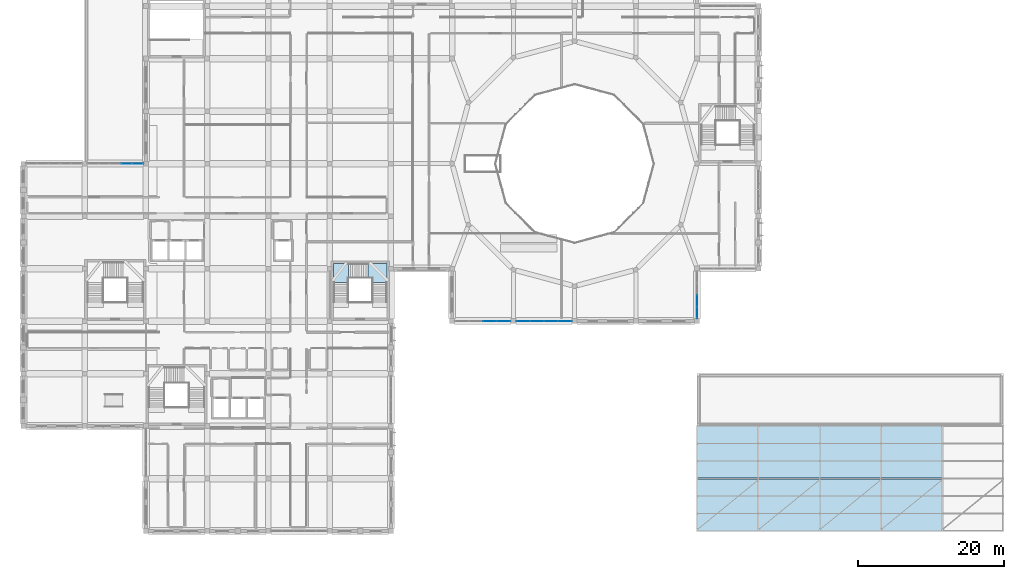
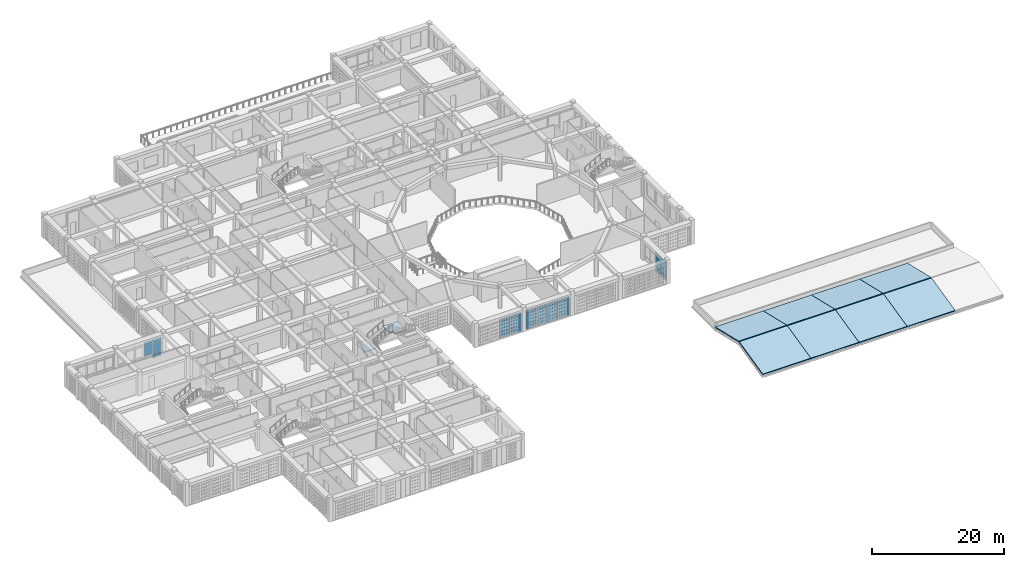
# One storey, part 32 of 79: 29 plates, 10 slabs, 5 elements without a shape of their own.
"""IFC4 building model written with IfcOpenShell, lengths in metres."""

from ifc_helpers import new_model, si_unit, derived_unit, direction, frame, origin, origin_2d, place, context, subcontext, project, spatial, polyline, rectangle, outline, extrude, material, layer, layer_set, type_object, element, aggregate, save


model = new_model("IFC4")

# Units and contexts
model_context = context("Model", 3, precision=1e-05, world=origin(), true_north=direction((0.0, 1.0)))
body_context = subcontext(model_context, "Body", "Model", "MODEL_VIEW")
ifc_project = project(units=[si_unit("LENGTHUNIT", "METRE"), si_unit("AREAUNIT", "SQUARE_METRE"), si_unit("VOLUMEUNIT", "CUBIC_METRE"), si_unit("PLANEANGLEUNIT", "RADIAN"), si_unit("MASSUNIT", "GRAM", prefix="KILO"), derived_unit("THERMALTRANSMITTANCEUNIT", [(si_unit("POWERUNIT", "WATT"), 1), (si_unit("LENGTHUNIT", "METRE"), -2), (si_unit("THERMODYNAMICTEMPERATUREUNIT", "KELVIN"), -1)])], contexts=[model_context])

# Site, building, storey
site_placement = place(None, origin())
site = spatial("IfcSite", under=ifc_project, at=site_placement, CompositionType="ELEMENT")
building_placement = place(site_placement, origin())
building = spatial("IfcBuilding", under=site, at=building_placement, Name="Veybourne Emporium", CompositionType="ELEMENT")
storey_placement = place(building_placement, frame((0.0, 0.0, 18.89990234375)))
storey = spatial("IfcBuildingStorey", under=building, at=storey_placement, Name="L04", CompositionType="ELEMENT", Elevation=18.89990234375)

# Curtain wall, plates
ifc_material_1 = material(Name="Patinated Architectural Bronze", Category="bronze")
curtain_wall_type_1 = type_object("IfcCurtainWallType", Name="CWSystem_CWS-25", PredefinedType="NOTDEFINED", material=ifc_material_1)
curtain_wall_1_placement = place(storey_placement, origin())
curtain_wall_1 = element("IfcCurtainWall", 1, at=curtain_wall_1_placement, inside=storey, type_object=curtain_wall_type_1, Name="L04 bronze glazed curtain wall CWS-25 (009)", PredefinedType="NOTDEFINED")
ifc_material_2 = material(Name="Low-E Triple Glazing", Category="glass")
ifc_layer_1 = layer(ifc_material_2, 0.028076171875)
ifc_layer_set_1 = layer_set([ifc_layer_1], Name="Low-E Triple Glazing")
plate_type = type_object("IfcPlateType", Name="CWPanel_CW-P1", PredefinedType="CURTAIN_PANEL", material=ifc_layer_set_1)
plate_1_placement = place(storey_placement, frame((14.14990234375, 50.39990234375, 0.93603515625), z_axis=(0.0, 0.0, 1.0), x_axis=(1.0, 0.0, 0.0)))
plate_1 = element("IfcPlate", 2, at=plate_1_placement, type_object=plate_type, Name="CWS-25 panel 4.2", PredefinedType="CURTAIN_PANEL", context=body_context, shape_type="SweptSolid", body=[
    extrude(rectangle(XDim=1.47802734375, YDim=0.028076171875, at=origin_2d()), origin(), (0.0, 0.0, 1.0), 1.907958984375),
])
plate_2_placement = place(storey_placement, frame((14.14990234375, 50.39990234375, 2.916015625), z_axis=(0.0, 0.0, 1.0), x_axis=(1.0, 0.0, 0.0)))
plate_2 = element("IfcPlate", 3, at=plate_2_placement, type_object=plate_type, Name="CWS-25 panel 4.3", PredefinedType="CURTAIN_PANEL", context=body_context, shape_type="SweptSolid", body=[
    extrude(rectangle(XDim=1.47802734375, YDim=0.028076171875, at=origin_2d()), origin(), (0.0, 0.0, 1.0), 0.64208984375),
])
plate_3_placement = place(storey_placement, frame((15.681884765625, 50.39990234375, 0.072021484375), z_axis=(0.0, 0.0, 1.0), x_axis=(1.0, 0.0, 0.0)))
plate_3 = element("IfcPlate", 4, at=plate_3_placement, type_object=plate_type, Name="CWS-25 panel 5.1", PredefinedType="CURTAIN_PANEL", context=body_context, shape_type="SweptSolid", body=[
    extrude(rectangle(XDim=1.44189453125, YDim=0.028076171875, at=origin_2d()), origin(), (0.0, 0.0, 1.0), 0.7919921875),
])
plate_4_placement = place(storey_placement, frame((15.681884765625, 50.39990234375, 0.93603515625), z_axis=(0.0, 0.0, 1.0), x_axis=(1.0, 0.0, 0.0)))
plate_4 = element("IfcPlate", 5, at=plate_4_placement, type_object=plate_type, Name="CWS-25 panel 5.2", PredefinedType="CURTAIN_PANEL", context=body_context, shape_type="SweptSolid", body=[
    extrude(rectangle(XDim=1.44189453125, YDim=0.028076171875, at=origin_2d()), origin(), (0.0, 0.0, 1.0), 1.907958984375),
])
plate_5_placement = place(storey_placement, frame((15.681884765625, 50.39990234375, 2.916015625), z_axis=(0.0, 0.0, 1.0), x_axis=(1.0, 0.0, 0.0)))
plate_5 = element("IfcPlate", 6, at=plate_5_placement, type_object=plate_type, Name="CWS-25 panel 5.3", PredefinedType="CURTAIN_PANEL", context=body_context, shape_type="SweptSolid", body=[
    extrude(rectangle(XDim=1.44189453125, YDim=0.028076171875, at=origin_2d()), origin(), (0.0, 0.0, 1.0), 0.64208984375),
])
aggregate(curtain_wall_1, [plate_1, plate_2, plate_3, plate_4, plate_5])

curtain_wall_type_2 = type_object("IfcCurtainWallType", Name="CWSystem_CWS-02", PredefinedType="NOTDEFINED", material=ifc_material_1)
curtain_wall_2_placement = place(storey_placement, origin())
curtain_wall_2 = element("IfcCurtainWall", 7, at=curtain_wall_2_placement, inside=storey, type_object=curtain_wall_type_2, Name="L04 bronze glazed curtain wall CWS-02 (033)", PredefinedType="NOTDEFINED")
plate_6_placement = place(storey_placement, frame((65.86865234375, 28.800048828125, 0.074951171875), z_axis=(0.0, 0.0, 1.0), x_axis=(-1.0, 0.0, 0.0)))
plate_6 = element("IfcPlate", 8, at=plate_6_placement, type_object=plate_type, Name="CWS-02 panel 1.1", PredefinedType="CURTAIN_PANEL", context=body_context, shape_type="SweptSolid", body=[
    extrude(rectangle(XDim=1.8125, YDim=0.028076171875, at=origin_2d()), origin(), (0.0, 0.0, 1.0), 0.78759765625),
])
plate_7_placement = place(storey_placement, frame((65.86865234375, 28.800048828125, 0.9375), z_axis=(0.0, 0.0, 1.0), x_axis=(-1.0, 0.0, 0.0)))
plate_7 = element("IfcPlate", 9, at=plate_7_placement, type_object=plate_type, Name="CWS-02 panel 1.2", PredefinedType="CURTAIN_PANEL", context=body_context, shape_type="SweptSolid", body=[
    extrude(rectangle(XDim=1.8125, YDim=0.028076171875, at=origin_2d()), origin(), (0.0, 0.0, 1.0), 1.905029296875),
])
plate_8_placement = place(storey_placement, frame((65.86865234375, 28.800048828125, 2.91748046875), z_axis=(0.0, 0.0, 1.0), x_axis=(-1.0, 0.0, 0.0)))
plate_8 = element("IfcPlate", 10, at=plate_8_placement, type_object=plate_type, Name="CWS-02 panel 1.3", PredefinedType="CURTAIN_PANEL", context=body_context, shape_type="SweptSolid", body=[
    extrude(rectangle(XDim=1.8125, YDim=0.028076171875, at=origin_2d()), origin(), (0.0, 0.0, 1.0), 0.637451171875),
])
plate_9_placement = place(storey_placement, frame((63.96240234375, 28.800048828125, 0.074951171875), z_axis=(0.0, 0.0, 1.0), x_axis=(-1.0, 0.0, 0.0)))
plate_9 = element("IfcPlate", 11, at=plate_9_placement, type_object=plate_type, Name="CWS-02 panel 2.1", PredefinedType="CURTAIN_PANEL", context=body_context, shape_type="SweptSolid", body=[
    extrude(rectangle(XDim=1.85009765625, YDim=0.028076171875, at=origin_2d()), origin(), (0.0, 0.0, 1.0), 0.78759765625),
])
plate_10_placement = place(storey_placement, frame((63.96240234375, 28.800048828125, 0.9375), z_axis=(0.0, 0.0, 1.0), x_axis=(-1.0, 0.0, 0.0)))
plate_10 = element("IfcPlate", 12, at=plate_10_placement, type_object=plate_type, Name="CWS-02 panel 2.2", PredefinedType="CURTAIN_PANEL", context=body_context, shape_type="SweptSolid", body=[
    extrude(rectangle(XDim=1.85009765625, YDim=0.028076171875, at=origin_2d()), origin(), (0.0, 0.0, 1.0), 1.905029296875),
])
plate_11_placement = place(storey_placement, frame((63.96240234375, 28.800048828125, 2.91748046875), z_axis=(0.0, 0.0, 1.0), x_axis=(-1.0, 0.0, 0.0)))
plate_11 = element("IfcPlate", 13, at=plate_11_placement, type_object=plate_type, Name="CWS-02 panel 2.3", PredefinedType="CURTAIN_PANEL", context=body_context, shape_type="SweptSolid", body=[
    extrude(rectangle(XDim=1.85009765625, YDim=0.028076171875, at=origin_2d()), origin(), (0.0, 0.0, 1.0), 0.637451171875),
])
aggregate(curtain_wall_2, [plate_6, plate_7, plate_8, plate_9, plate_10, plate_11])

curtain_wall_type_3 = type_object("IfcCurtainWallType", Name="CWSystem_CWS-03", PredefinedType="NOTDEFINED", material=ifc_material_1)
curtain_wall_3_placement = place(storey_placement, origin())
curtain_wall_3 = element("IfcCurtainWall", 14, at=curtain_wall_3_placement, inside=storey, type_object=curtain_wall_type_3, Name="L04 bronze glazed curtain wall CWS-03 (036)", PredefinedType="NOTDEFINED")
plate_12_placement = place(storey_placement, frame((74.26806640625, 28.800048828125, 0.078125), z_axis=(0.0, 0.0, 1.0), x_axis=(-1.0, 0.0, 0.0)))
plate_12 = element("IfcPlate", 15, at=plate_12_placement, type_object=plate_type, Name="CWS-03 panel 1.1", PredefinedType="CURTAIN_PANEL", context=body_context, shape_type="SweptSolid", body=[
    extrude(rectangle(XDim=1.80810546875, YDim=0.028076171875, at=origin_2d()), origin(), (0.0, 0.0, 1.0), 0.782958984375),
])
plate_13_placement = place(storey_placement, frame((74.26806640625, 28.800048828125, 0.93896484375), z_axis=(0.0, 0.0, 1.0), x_axis=(-1.0, 0.0, 0.0)))
plate_13 = element("IfcPlate", 16, at=plate_13_placement, type_object=plate_type, Name="CWS-03 panel 1.2", PredefinedType="CURTAIN_PANEL", context=body_context, shape_type="SweptSolid", body=[
    extrude(rectangle(XDim=1.80810546875, YDim=0.028076171875, at=origin_2d()), origin(), (0.0, 0.0, 1.0), 1.902099609375),
])
plate_14_placement = place(storey_placement, frame((74.26806640625, 28.800048828125, 2.9189453125), z_axis=(0.0, 0.0, 1.0), x_axis=(-1.0, 0.0, 0.0)))
plate_14 = element("IfcPlate", 17, at=plate_14_placement, type_object=plate_type, Name="CWS-03 panel 1.3", PredefinedType="CURTAIN_PANEL", context=body_context, shape_type="SweptSolid", body=[
    extrude(rectangle(XDim=1.80810546875, YDim=0.028076171875, at=origin_2d()), origin(), (0.0, 0.0, 1.0), 0.633056640625),
])
plate_15_placement = place(storey_placement, frame((72.362548828125, 28.800048828125, 0.078125), z_axis=(0.0, 0.0, 1.0), x_axis=(-1.0, 0.0, 0.0)))
plate_15 = element("IfcPlate", 18, at=plate_15_placement, type_object=plate_type, Name="CWS-03 panel 2.1", PredefinedType="CURTAIN_PANEL", context=body_context, shape_type="SweptSolid", body=[
    extrude(rectangle(XDim=1.846923828125, YDim=0.028076171875, at=origin_2d()), origin(), (0.0, 0.0, 1.0), 0.782958984375),
])
plate_16_placement = place(storey_placement, frame((72.362548828125, 28.800048828125, 0.93896484375), z_axis=(0.0, 0.0, 1.0), x_axis=(-1.0, 0.0, 0.0)))
plate_16 = element("IfcPlate", 19, at=plate_16_placement, type_object=plate_type, Name="CWS-03 panel 2.2", PredefinedType="CURTAIN_PANEL", context=body_context, shape_type="SweptSolid", body=[
    extrude(rectangle(XDim=1.846923828125, YDim=0.028076171875, at=origin_2d()), origin(), (0.0, 0.0, 1.0), 1.902099609375),
])
plate_17_placement = place(storey_placement, frame((72.362548828125, 28.800048828125, 2.9189453125), z_axis=(0.0, 0.0, 1.0), x_axis=(-1.0, 0.0, 0.0)))
plate_17 = element("IfcPlate", 20, at=plate_17_placement, type_object=plate_type, Name="CWS-03 panel 2.3", PredefinedType="CURTAIN_PANEL", context=body_context, shape_type="SweptSolid", body=[
    extrude(rectangle(XDim=1.846923828125, YDim=0.028076171875, at=origin_2d()), origin(), (0.0, 0.0, 1.0), 0.633056640625),
])
plate_18_placement = place(storey_placement, frame((70.4375, 28.800048828125, 0.078125), z_axis=(0.0, 0.0, 1.0), x_axis=(-1.0, 0.0, 0.0)))
plate_18 = element("IfcPlate", 21, at=plate_18_placement, type_object=plate_type, Name="CWS-03 panel 3.1", PredefinedType="CURTAIN_PANEL", context=body_context, shape_type="SweptSolid", body=[
    extrude(rectangle(XDim=1.846923828125, YDim=0.028076171875, at=origin_2d()), origin(), (0.0, 0.0, 1.0), 0.782958984375),
])
plate_19_placement = place(storey_placement, frame((70.4375, 28.800048828125, 0.93896484375), z_axis=(0.0, 0.0, 1.0), x_axis=(-1.0, 0.0, 0.0)))
plate_19 = element("IfcPlate", 22, at=plate_19_placement, type_object=plate_type, Name="CWS-03 panel 3.2", PredefinedType="CURTAIN_PANEL", context=body_context, shape_type="SweptSolid", body=[
    extrude(rectangle(XDim=1.846923828125, YDim=0.028076171875, at=origin_2d()), origin(), (0.0, 0.0, 1.0), 1.902099609375),
])
plate_20_placement = place(storey_placement, frame((70.4375, 28.800048828125, 2.9189453125), z_axis=(0.0, 0.0, 1.0), x_axis=(-1.0, 0.0, 0.0)))
plate_20 = element("IfcPlate", 23, at=plate_20_placement, type_object=plate_type, Name="CWS-03 panel 3.3", PredefinedType="CURTAIN_PANEL", context=body_context, shape_type="SweptSolid", body=[
    extrude(rectangle(XDim=1.846923828125, YDim=0.028076171875, at=origin_2d()), origin(), (0.0, 0.0, 1.0), 0.633056640625),
])
plate_21_placement = place(storey_placement, frame((68.531982421875, 28.800048828125, 0.078125), z_axis=(0.0, 0.0, 1.0), x_axis=(-1.0, 0.0, 0.0)))
plate_21 = element("IfcPlate", 24, at=plate_21_placement, type_object=plate_type, Name="CWS-03 panel 4.1", PredefinedType="CURTAIN_PANEL", context=body_context, shape_type="SweptSolid", body=[
    extrude(rectangle(XDim=1.80810546875, YDim=0.028076171875, at=origin_2d()), origin(), (0.0, 0.0, 1.0), 0.782958984375),
])
plate_22_placement = place(storey_placement, frame((68.531982421875, 28.800048828125, 0.93896484375), z_axis=(0.0, 0.0, 1.0), x_axis=(-1.0, 0.0, 0.0)))
plate_22 = element("IfcPlate", 25, at=plate_22_placement, type_object=plate_type, Name="CWS-03 panel 4.2", PredefinedType="CURTAIN_PANEL", context=body_context, shape_type="SweptSolid", body=[
    extrude(rectangle(XDim=1.80810546875, YDim=0.028076171875, at=origin_2d()), origin(), (0.0, 0.0, 1.0), 1.902099609375),
])
plate_23_placement = place(storey_placement, frame((68.531982421875, 28.800048828125, 2.9189453125), z_axis=(0.0, 0.0, 1.0), x_axis=(-1.0, 0.0, 0.0)))
plate_23 = element("IfcPlate", 26, at=plate_23_placement, type_object=plate_type, Name="CWS-03 panel 4.3", PredefinedType="CURTAIN_PANEL", context=body_context, shape_type="SweptSolid", body=[
    extrude(rectangle(XDim=1.80810546875, YDim=0.028076171875, at=origin_2d()), origin(), (0.0, 0.0, 1.0), 0.633056640625),
])
aggregate(curtain_wall_3, [plate_12, plate_13, plate_14, plate_15, plate_16, plate_17, plate_18, plate_19, plate_20, plate_21, plate_22, plate_23])

curtain_wall_type_4 = type_object("IfcCurtainWallType", Name="CWSystem_CWS-05", PredefinedType="NOTDEFINED", material=ifc_material_1)
curtain_wall_4_placement = place(storey_placement, origin())
curtain_wall_4 = element("IfcCurtainWall", 27, at=curtain_wall_4_placement, inside=storey, type_object=curtain_wall_type_4, Name="L04 bronze glazed curtain wall CWS-05 (042)", PredefinedType="NOTDEFINED")
plate_24_placement = place(storey_placement, frame((92.39990234375, 31.58740234375, 0.072021484375), z_axis=(0.0, 0.0, 1.0), x_axis=(0.0, -1.0, 0.0)))
plate_24 = element("IfcPlate", 28, at=plate_24_placement, type_object=plate_type, Name="CWS-05 panel 3.1", PredefinedType="CURTAIN_PANEL", context=body_context, shape_type="SweptSolid", body=[
    extrude(rectangle(XDim=1.552978515625, YDim=0.028076171875, at=origin_2d()), origin(), (0.0, 0.0, 1.0), 0.7919921875),
])
plate_25_placement = place(storey_placement, frame((92.39990234375, 31.58740234375, 0.93603515625), z_axis=(0.0, 0.0, 1.0), x_axis=(0.0, -1.0, 0.0)))
plate_25 = element("IfcPlate", 29, at=plate_25_placement, type_object=plate_type, Name="CWS-05 panel 3.2", PredefinedType="CURTAIN_PANEL", context=body_context, shape_type="SweptSolid", body=[
    extrude(rectangle(XDim=1.552978515625, YDim=0.028076171875, at=origin_2d()), origin(), (0.0, 0.0, 1.0), 1.907958984375),
])
plate_26_placement = place(storey_placement, frame((92.39990234375, 31.58740234375, 2.916015625), z_axis=(0.0, 0.0, 1.0), x_axis=(0.0, -1.0, 0.0)))
plate_26 = element("IfcPlate", 30, at=plate_26_placement, type_object=plate_type, Name="CWS-05 panel 3.3", PredefinedType="CURTAIN_PANEL", context=body_context, shape_type="SweptSolid", body=[
    extrude(rectangle(XDim=1.552978515625, YDim=0.028076171875, at=origin_2d()), origin(), (0.0, 0.0, 1.0), 0.64208984375),
])
plate_27_placement = place(storey_placement, frame((92.39990234375, 29.98046875, 0.072021484375), z_axis=(0.0, 0.0, 1.0), x_axis=(0.0, -1.0, 0.0)))
plate_27 = element("IfcPlate", 31, at=plate_27_placement, type_object=plate_type, Name="CWS-05 panel 4.1", PredefinedType="CURTAIN_PANEL", context=body_context, shape_type="SweptSolid", body=[
    extrude(rectangle(XDim=1.51708984375, YDim=0.028076171875, at=origin_2d()), origin(), (0.0, 0.0, 1.0), 0.7919921875),
])
plate_28_placement = place(storey_placement, frame((92.39990234375, 29.98046875, 0.93603515625), z_axis=(0.0, 0.0, 1.0), x_axis=(0.0, -1.0, 0.0)))
plate_28 = element("IfcPlate", 32, at=plate_28_placement, type_object=plate_type, Name="CWS-05 panel 4.2", PredefinedType="CURTAIN_PANEL", context=body_context, shape_type="SweptSolid", body=[
    extrude(rectangle(XDim=1.51708984375, YDim=0.028076171875, at=origin_2d()), origin(), (0.0, 0.0, 1.0), 1.907958984375),
])
plate_29_placement = place(storey_placement, frame((92.39990234375, 29.98046875, 2.916015625), z_axis=(0.0, 0.0, 1.0), x_axis=(0.0, -1.0, 0.0)))
plate_29 = element("IfcPlate", 33, at=plate_29_placement, type_object=plate_type, Name="CWS-05 panel 4.3", PredefinedType="CURTAIN_PANEL", context=body_context, shape_type="SweptSolid", body=[
    extrude(rectangle(XDim=1.51708984375, YDim=0.028076171875, at=origin_2d()), origin(), (0.0, 0.0, 1.0), 0.64208984375),
])
aggregate(curtain_wall_4, [plate_24, plate_25, plate_26, plate_27, plate_28, plate_29])

# Stair, slabs
ifc_material_3 = material(Name="Concrete C32/40", Category="concrete")
stair_type = type_object("IfcStairType", Name="Stair_ST-05-R30", PredefinedType="TWO_QUARTER_TURN_STAIR", material=ifc_material_3)
stair_placement = place(storey_placement, origin())
stair = element("IfcStair", 34, at=stair_placement, inside=storey, type_object=stair_type, Name="L04 stair ST-05", PredefinedType="TWO_QUARTER_TURN_STAIR")
ifc_layer_2 = layer(ifc_material_3, 0.199951171875)
ifc_layer_set_2 = layer_set([ifc_layer_2], Name="Concrete C32/40")
slab_type_1 = type_object("IfcSlabType", Name="Landing_LDG-01", PredefinedType="LANDING", material=ifc_layer_set_2)
slab_1_placement = place(storey_placement, frame((0.0, 0.0, 1.300048828125)))
slab_1 = element("IfcSlab", 35, at=slab_1_placement, type_object=slab_type_1, Name="ST-05-R30 landing 1", PredefinedType="LANDING", context=body_context, shape_type="SweptSolid", body=[
    extrude(outline(polyline([(42.550048828125, 34.10009765625), (44.550048828125, 34.10009765625), (44.550048828125, 36.699951171875), (42.550048828125, 36.699951171875), (42.550048828125, 34.10009765625)])), origin(), (0.0, 0.0, 1.0), 0.199951171875),
])
slab_2_placement = place(storey_placement, frame((0.0, 0.0, 2.800048828125)))
slab_2 = element("IfcSlab", 36, at=slab_2_placement, type_object=slab_type_1, Name="ST-05-R30 landing 2", PredefinedType="LANDING", context=body_context, shape_type="SweptSolid", body=[
    extrude(outline(polyline([(47.25, 34.699951171875), (47.85009765625, 34.699951171875), (47.85009765625, 34.10009765625), (49.85009765625, 34.10009765625), (49.85009765625, 36.699951171875), (47.25, 36.699951171875), (47.25, 34.699951171875)])), origin(), (0.0, 0.0, 1.0), 0.199951171875),
])
aggregate(stair, [slab_1, slab_2])

# Slabs
ifc_layer_3 = layer(ifc_material_3, 0.219970703125)
ifc_layer_set_3 = layer_set([ifc_layer_3], Name="Concrete C32/40")
slab_type_2 = type_object("IfcSlabType", Name="Slab_RS-02", PredefinedType="ROOF", material=ifc_layer_set_3)
slab_3_placement = place(storey_placement, frame((92.39990234375, 0.0, 0.5751953125), z_axis=(0.0, -0.229636385395, 0.97327649232), x_axis=(1.0, 0.0, 0.0)))
element("IfcSlab", 37, at=slab_3_placement, inside=storey, type_object=slab_type_2, Name="Food hall sloped roof south 00", PredefinedType="ROOF", context=body_context, shape_type="SweptSolid", body=[
    extrude(outline(polyline([(0.0, 0.0), (8.400146484375, 0.0), (8.400146484375, 7.315616110821146), (0.0, 7.315616110821146), (0.0, 0.0)])), origin(), (0.0, 0.0, -1.0), 0.219970703125),
])
slab_4_placement = place(storey_placement, frame((92.39990234375, 7.280029296875, 2.255126953125), z_axis=(0.0, 0.229643844381, 0.973274732405), x_axis=(1.0, 0.0, 0.0)))
element("IfcSlab", 38, at=slab_4_placement, inside=storey, type_object=slab_type_2, Name="Food hall sloped roof north 00", PredefinedType="ROOF", context=body_context, shape_type="SweptSolid", body=[
    extrude(outline(polyline([(0.0, 0.0), (8.400146484375, 0.0), (8.400146484375, 7.315378494704844), (0.0, 7.315378494704844), (0.0, 0.0)])), origin(), (0.0, 0.0, -1.0), 0.219970703125),
])
slab_5_placement = place(storey_placement, frame((100.800048828125, 0.0, 0.5751953125), z_axis=(0.0, -0.229636385395, 0.97327649232), x_axis=(1.0, 0.0, 0.0)))
element("IfcSlab", 39, at=slab_5_placement, inside=storey, type_object=slab_type_2, Name="Food hall sloped roof south 01", PredefinedType="ROOF", context=body_context, shape_type="SweptSolid", body=[
    extrude(outline(polyline([(0.0, 0.0), (8.39990234375, 0.0), (8.39990234375, 7.315616110821147), (0.0, 7.315616110821147), (0.0, 0.0)])), origin(), (0.0, 0.0, -1.0), 0.219970703125),
])
slab_6_placement = place(storey_placement, frame((100.800048828125, 7.280029296875, 2.255126953125), z_axis=(0.0, 0.229643844381, 0.973274732405), x_axis=(1.0, 0.0, 0.0)))
element("IfcSlab", 40, at=slab_6_placement, inside=storey, type_object=slab_type_2, Name="Food hall sloped roof north 01", PredefinedType="ROOF", context=body_context, shape_type="SweptSolid", body=[
    extrude(outline(polyline([(0.0, 0.0), (8.39990234375, 0.0), (8.39990234375, 7.315378494704843), (0.0, 7.315378494704843), (0.0, 0.0)])), origin(), (0.0, 0.0, -1.0), 0.219970703125),
])
slab_7_placement = place(storey_placement, frame((109.199951171875, 0.0, 0.5751953125), z_axis=(0.0, -0.229636385395, 0.97327649232), x_axis=(1.0, 0.0, 0.0)))
element("IfcSlab", 41, at=slab_7_placement, inside=storey, type_object=slab_type_2, Name="Food hall sloped roof south 02", PredefinedType="ROOF", context=body_context, shape_type="SweptSolid", body=[
    extrude(outline(polyline([(0.0, 0.0), (8.400146484375, 0.0), (8.400146484375, 7.315616110821146), (0.0, 7.315616110821146), (0.0, 0.0)])), origin(), (0.0, 0.0, -1.0), 0.219970703125),
])
slab_8_placement = place(storey_placement, frame((109.199951171875, 7.280029296875, 2.255126953125), z_axis=(0.0, 0.229643844381, 0.973274732405), x_axis=(1.0, 0.0, 0.0)))
element("IfcSlab", 42, at=slab_8_placement, inside=storey, type_object=slab_type_2, Name="Food hall sloped roof north 02", PredefinedType="ROOF", context=body_context, shape_type="SweptSolid", body=[
    extrude(outline(polyline([(0.0, 0.0), (8.400146484375, 0.0), (8.400146484375, 7.315378494704844), (0.0, 7.315378494704844), (0.0, 0.0)])), origin(), (0.0, 0.0, -1.0), 0.219970703125),
])
slab_9_placement = place(storey_placement, frame((117.60009765625, 0.0, 0.5751953125), z_axis=(0.0, -0.229636385395, 0.97327649232), x_axis=(1.0, 0.0, 0.0)))
element("IfcSlab", 43, at=slab_9_placement, inside=storey, type_object=slab_type_2, Name="Food hall sloped roof south 03", PredefinedType="ROOF", context=body_context, shape_type="SweptSolid", body=[
    extrude(outline(polyline([(0.0, 0.0), (8.39990234375, 0.0), (8.39990234375, 7.315616110821147), (0.0, 7.315616110821147), (0.0, 0.0)])), origin(), (0.0, 0.0, -1.0), 0.219970703125),
])
slab_10_placement = place(storey_placement, frame((117.60009765625, 7.280029296875, 2.255126953125), z_axis=(0.0, 0.229643844381, 0.973274732405), x_axis=(1.0, 0.0, 0.0)))
element("IfcSlab", 44, at=slab_10_placement, inside=storey, type_object=slab_type_2, Name="Food hall sloped roof north 03", PredefinedType="ROOF", context=body_context, shape_type="SweptSolid", body=[
    extrude(outline(polyline([(0.0, 0.0), (8.39990234375, 0.0), (8.39990234375, 7.315378494704843), (0.0, 7.315378494704843), (0.0, 0.0)])), origin(), (0.0, 0.0, -1.0), 0.219970703125),
])

save(model, "model.ifc")
